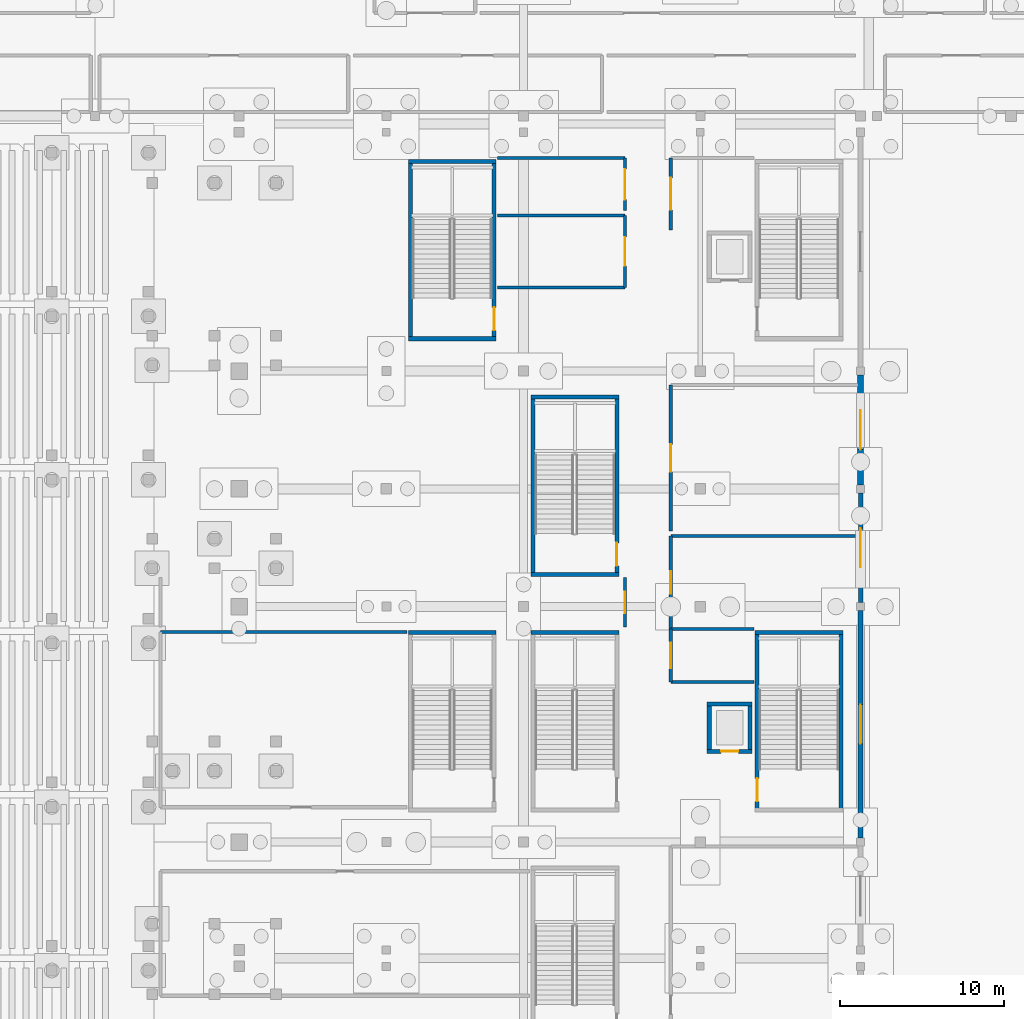
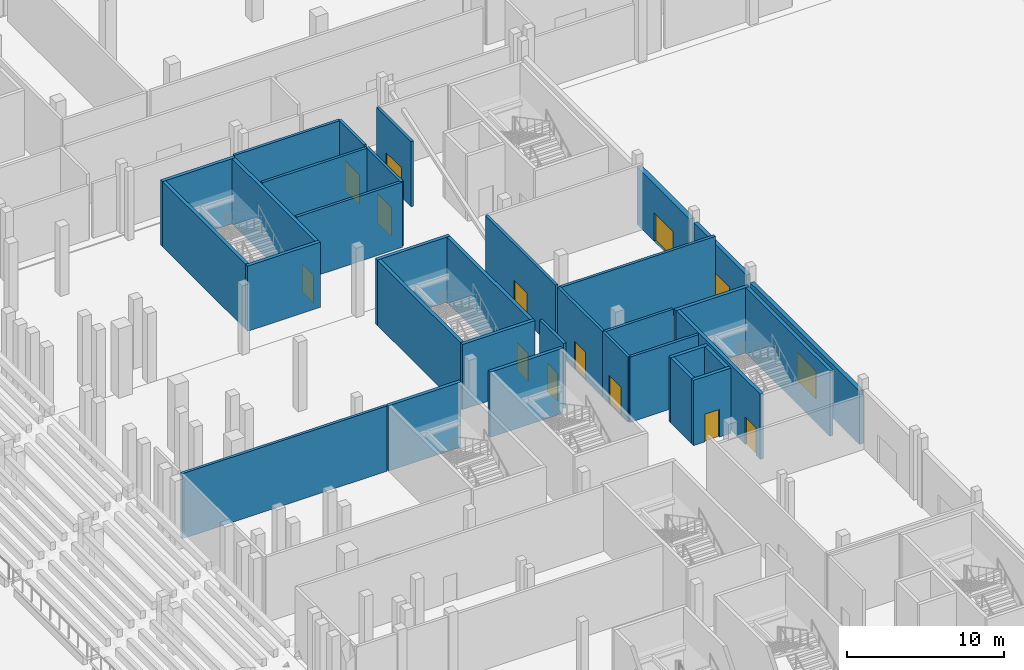
# One storey, part 44 of 89: 34 walls, 14 doors, 14 openings.
"""IFC4 building model written with IfcOpenShell, lengths in metres."""

from ifc_helpers import new_model, si_unit, direction, frame, frame_2d, origin, place, context, subcontext, project, spatial, rectangle, extrude, material, layer, layer_set, type_object, element, fill, save


model = new_model("IFC4")

# Units and contexts
model_context = context("Model", 3, precision=1e-05, world=origin(), true_north=direction((0.0, 1.0)))
body_context = subcontext(model_context, "Body", "Model", "MODEL_VIEW")
ifc_project = project(units=[si_unit("LENGTHUNIT", "METRE"), si_unit("AREAUNIT", "SQUARE_METRE"), si_unit("VOLUMEUNIT", "CUBIC_METRE"), si_unit("PLANEANGLEUNIT", "RADIAN"), si_unit("MASSUNIT", "GRAM", prefix="KILO")], contexts=[model_context])

# Site, building, storey
site_placement = place(None, origin())
site = spatial("IfcSite", under=ifc_project, at=site_placement, CompositionType="ELEMENT")
building_placement = place(site_placement, origin())
building = spatial("IfcBuilding", under=site, at=building_placement, Name="Koshinbarg Plaza Stadium", CompositionType="ELEMENT")
storey_placement = place(building_placement, origin())
storey = spatial("IfcBuildingStorey", under=building, at=storey_placement, Name="L00", CompositionType="ELEMENT", Elevation=0.0)

# Wall
ifc_material_1 = material(Name="Concrete C40/50", Category="concrete")
ifc_layer_1 = layer(ifc_material_1, 0.25)
ifc_layer_set_1 = layer_set([ifc_layer_1], Name="Concrete C40/50")
wall_type_1 = type_object("IfcWallType", Name="WL-CORE-250", PredefinedType="SHEAR", material=ifc_layer_set_1)
wall_1_placement = place(storey_placement, frame((217.320068359375, 95.925048828125, 0.0), z_axis=(0.0, 0.0, 1.0), x_axis=(-1.0, 0.0, 0.0)))
element("IfcWall", 1, at=wall_1_placement, inside=storey, type_object=wall_type_1, Name="L00 core stair shear wall C09-far IWL-L00-0211", PredefinedType="SHEAR", context=body_context, shape_type="SweptSolid", body=[
    extrude(rectangle(XDim=5.3701171875, YDim=0.25, at=frame_2d((2.68505859375, 0.0))), origin(), (0.0, 0.0, 1.0), 5.080078125),
])

# Wall, opening, door
wall_2_placement = place(storey_placement, frame((212.074951171875, 85.074951171875, 0.0), z_axis=(0.0, 0.0, 1.0), x_axis=(0.0, 1.0, 0.0)))
wall_2 = element("IfcWall", 2, at=wall_2_placement, inside=storey, type_object=wall_type_1, Name="L00 core stair shear wall C09-left IWL-L00-0212", PredefinedType="SHEAR", context=body_context, shape_type="SweptSolid", body=[
    extrude(rectangle(XDim=10.85009765625, YDim=0.25, at=frame_2d((5.425048828125, 0.0))), origin(), (0.0, 0.0, 1.0), 5.080078125),
])
opening_1_placement = place(wall_2_placement, frame((0.52001953125, 0.0, 0.0)))
opening_1 = element("IfcOpeningElement", 3, at=opening_1_placement, cuts=wall_2, Name="Opening D-0115", PredefinedType="OPENING", context=body_context, shape_type="SweptSolid", body=[
    extrude(rectangle(XDim=1.39990234375, YDim=2.14990234375, at=frame_2d((0.699951171875, 1.074951171875))), frame((0.0, 0.135009765625, 0.0), z_axis=(0.0, -1.0, 0.0), x_axis=(1.0, 0.0, 0.0)), (0.0, 0.0, 1.0), 0.27001953125),
])
ifc_material_2 = material(Name="Painted galvanized steel fire door", Category="steel")
door_type_1 = type_object("IfcDoorType", Name="DR-STAIR-1400", OperationType="NOTDEFINED", PredefinedType="DOOR", material=ifc_material_2)
door_1_placement = place(opening_1_placement, origin())
door_1 = element("IfcDoor", 4, at=door_1_placement, inside=storey, type_object=door_type_1, Name="L00 exit stair door C09", OperationType="SINGLE_SWING_RIGHT", OverallHeight=2.14990234375, OverallWidth=1.39990234375, PredefinedType="DOOR", context=body_context, shape_type="SweptSolid", body=[
    extrude(rectangle(XDim=1.39990234375, YDim=2.14990234375, at=frame_2d((0.699951171875, 1.074951171875))), frame((0.0, 0.02490234375, 0.0), z_axis=(0.0, -1.0, 0.0), x_axis=(1.0, 0.0, 0.0)), (0.0, 0.0, 1.0), 0.050048828125),
])
fill(opening_1, door_1)

# Walls
wall_3_placement = place(storey_placement, frame((217.195068359375, 85.074951171875, 0.0), z_axis=(0.0, 0.0, 1.0), x_axis=(0.0, 1.0, 0.0)))
element("IfcWall", 5, at=wall_3_placement, inside=storey, type_object=wall_type_1, Name="L00 core stair shear wall C09-right IWL-L00-0213", PredefinedType="SHEAR", context=body_context, shape_type="SweptSolid", body=[
    extrude(rectangle(XDim=10.85009765625, YDim=0.25, at=frame_2d((5.425048828125, 0.0))), origin(), (0.0, 0.0, 1.0), 5.080078125),
])
for number, where, z_axis, x_axis, name in (
    (6, (203.6201171875, 95.925048828125, 0.0), (0.0, 0.0, 1.0), (-1.0, 0.0, 0.0), "L00 vomitory stair shear wall VX11-far IWL-L00-0515"),
    (7, (198.25, 99.47509765625, 0.0), (0.0, 0.0, 1.0), (1.0, 0.0, 0.0), "L00 vomitory stair shear wall VX12-near IWL-L00-0530"),
    (8, (203.6201171875, 110.324951171875, 0.0), (0.0, 0.0, 1.0), (-1.0, 0.0, 0.0), "L00 vomitory stair shear wall VX12-far IWL-L00-0531"),
):
    element("IfcWall", number, at=place(storey_placement, frame(where, z_axis=z_axis, x_axis=x_axis)), inside=storey, type_object=wall_type_1, Name=name, PredefinedType="SHEAR", context=body_context, shape_type="SweptSolid", body=[
        extrude(rectangle(XDim=5.3701171875, YDim=0.25, at=frame_2d((2.68505859375, 0.0))), origin(), (0.0, 0.0, 1.0), 5.080078125),
    ])
wall_4_placement = place(storey_placement, frame((198.375, 99.47509765625, 0.0), z_axis=(0.0, 0.0, 1.0), x_axis=(0.0, 1.0, 0.0)))
element("IfcWall", 9, at=wall_4_placement, inside=storey, type_object=wall_type_1, Name="L00 vomitory stair shear wall VX12-left IWL-L00-0532", PredefinedType="SHEAR", context=body_context, shape_type="SweptSolid", body=[
    extrude(rectangle(XDim=10.849853515625, YDim=0.25, at=frame_2d((5.4248046875, 0.0))), origin(), (0.0, 0.0, 1.0), 5.080078125),
])

# Wall, opening, door
wall_5_placement = place(storey_placement, frame((203.4951171875, 99.47509765625, 0.0), z_axis=(0.0, 0.0, 1.0), x_axis=(0.0, 1.0, 0.0)))
wall_5 = element("IfcWall", 10, at=wall_5_placement, inside=storey, type_object=wall_type_1, Name="L00 vomitory stair shear wall VX12-right IWL-L00-0533", PredefinedType="SHEAR", context=body_context, shape_type="SweptSolid", body=[
    extrude(rectangle(XDim=10.849853515625, YDim=0.25, at=frame_2d((5.4248046875, 0.0))), origin(), (0.0, 0.0, 1.0), 5.080078125),
])
opening_2_placement = place(wall_5_placement, frame((0.52001953125, 0.0, 0.0)))
opening_2 = element("IfcOpeningElement", 11, at=opening_2_placement, cuts=wall_5, Name="Opening D-0195", PredefinedType="OPENING", context=body_context, shape_type="SweptSolid", body=[
    extrude(rectangle(XDim=1.39990234375, YDim=2.14990234375, at=frame_2d((0.699951171875, 1.074951171875))), frame((0.0, 0.135009765625, 0.0), z_axis=(0.0, -1.0, 0.0), x_axis=(1.0, 0.0, 0.0)), (0.0, 0.0, 1.0), 0.27001953125),
])
door_2_placement = place(opening_2_placement, frame((1.39990234375, 0.0, 0.0), z_axis=(0.0, 0.0, 1.0), x_axis=(-1.0, 0.0, 0.0)))
door_2 = element("IfcDoor", 12, at=door_2_placement, inside=storey, type_object=door_type_1, Name="L00 vomitory exit stair door VX12", OperationType="SINGLE_SWING_LEFT", OverallHeight=2.14990234375, OverallWidth=1.39990234375, PredefinedType="DOOR", context=body_context, shape_type="SweptSolid", body=[
    extrude(rectangle(XDim=1.39990234375, YDim=2.14990234375, at=frame_2d((0.699951171875, 1.074951171875))), frame((0.0, 0.02490234375, 0.0), z_axis=(0.0, -1.0, 0.0), x_axis=(1.0, 0.0, 0.0)), (0.0, 0.0, 1.0), 0.050048828125),
])
fill(opening_2, door_2)

# Walls
for number, where, z_axis, x_axis, name in (
    (13, (196.1201171875, 95.925048828125, 0.0), (0.0, 0.0, 1.0), (-1.0, 0.0, 0.0), "L00 vomitory stair shear wall VL07-far IWL-L00-0595"),
    (14, (190.75, 113.875, 0.0), (0.0, 0.0, 1.0), (1.0, 0.0, 0.0), "L00 vomitory stair shear wall VL08-near IWL-L00-0602"),
    (15, (196.1201171875, 124.72509765625, 0.0), (0.0, 0.0, 1.0), (-1.0, 0.0, 0.0), "L00 vomitory stair shear wall VL08-far IWL-L00-0603"),
):
    element("IfcWall", number, at=place(storey_placement, frame(where, z_axis=z_axis, x_axis=x_axis)), inside=storey, type_object=wall_type_1, Name=name, PredefinedType="SHEAR", context=body_context, shape_type="SweptSolid", body=[
        extrude(rectangle(XDim=5.3701171875, YDim=0.25, at=frame_2d((2.68505859375, 0.0))), origin(), (0.0, 0.0, 1.0), 5.080078125),
    ])
wall_6_placement = place(storey_placement, frame((190.875, 113.875, 0.0), z_axis=(0.0, 0.0, 1.0), x_axis=(0.0, 1.0, 0.0)))
element("IfcWall", 16, at=wall_6_placement, inside=storey, type_object=wall_type_1, Name="L00 vomitory stair shear wall VL08-left IWL-L00-0604", PredefinedType="SHEAR", context=body_context, shape_type="SweptSolid", body=[
    extrude(rectangle(XDim=10.85009765625, YDim=0.25, at=frame_2d((5.425048828125, 0.0))), origin(), (0.0, 0.0, 1.0), 5.080078125),
])

# Wall, opening, door
wall_7_placement = place(storey_placement, frame((195.9951171875, 113.875, 0.0), z_axis=(0.0, 0.0, 1.0), x_axis=(0.0, 1.0, 0.0)))
wall_7 = element("IfcWall", 17, at=wall_7_placement, inside=storey, type_object=wall_type_1, Name="L00 vomitory stair shear wall VL08-right IWL-L00-0605", PredefinedType="SHEAR", context=body_context, shape_type="SweptSolid", body=[
    extrude(rectangle(XDim=10.85009765625, YDim=0.25, at=frame_2d((5.425048828125, 0.0))), origin(), (0.0, 0.0, 1.0), 5.080078125),
])
opening_3_placement = place(wall_7_placement, frame((0.52001953125, 0.0, 0.0)))
opening_3 = element("IfcOpeningElement", 18, at=opening_3_placement, cuts=wall_7, Name="Opening D-0213", PredefinedType="OPENING", context=body_context, shape_type="SweptSolid", body=[
    extrude(rectangle(XDim=1.39990234375, YDim=2.14990234375, at=frame_2d((0.699951171875, 1.074951171875))), frame((0.0, 0.135009765625, 0.0), z_axis=(0.0, -1.0, 0.0), x_axis=(1.0, 0.0, 0.0)), (0.0, 0.0, 1.0), 0.27001953125),
])
door_3_placement = place(opening_3_placement, frame((1.39990234375, 0.0, 0.0), z_axis=(0.0, 0.0, 1.0), x_axis=(-1.0, 0.0, 0.0)))
door_3 = element("IfcDoor", 19, at=door_3_placement, inside=storey, type_object=door_type_1, Name="L00 vomitory exit stair door VL08", OperationType="SINGLE_SWING_LEFT", OverallHeight=2.14990234375, OverallWidth=1.39990234375, PredefinedType="DOOR", context=body_context, shape_type="SweptSolid", body=[
    extrude(rectangle(XDim=1.39990234375, YDim=2.14990234375, at=frame_2d((0.699951171875, 1.074951171875))), frame((0.0, 0.02490234375, 0.0), z_axis=(0.0, -1.0, 0.0), x_axis=(1.0, 0.0, 0.0)), (0.0, 0.0, 1.0), 0.050048828125),
])
fill(opening_3, door_3)

wall_8_placement = place(storey_placement, frame((209.02490234375, 88.64990234375, 0.0), z_axis=(0.0, 0.0, 1.0), x_axis=(1.0, 0.0, 0.0)))
wall_8 = element("IfcWall", 20, at=wall_8_placement, inside=storey, type_object=wall_type_1, Name="L00 lift shaft shear wall LP05-S IWL-L00-0910", PredefinedType="SHEAR", context=body_context, shape_type="SweptSolid", body=[
    extrude(rectangle(XDim=2.75, YDim=0.25, at=frame_2d((1.375, 0.0))), origin(), (0.0, 0.0, 1.0), 5.080078125),
])
opening_4_placement = place(wall_8_placement, frame((0.85009765625, 0.0, 0.0)))
opening_4 = element("IfcOpeningElement", 21, at=opening_4_placement, cuts=wall_8, Name="Opening D-0297", PredefinedType="OPENING", context=body_context, shape_type="SweptSolid", body=[
    extrude(rectangle(XDim=1.050048828125, YDim=2.14990234375, at=frame_2d((0.52490234375, 1.074951171875))), frame((0.0, 0.135009765625, 0.0), z_axis=(0.0, -1.0, 0.0), x_axis=(1.0, 0.0, 0.0)), (0.0, 0.0, 1.0), 0.27001953125),
])
ifc_material_3 = material(Name="Brushed stainless steel sliding lift landing door", Category="steel")
door_type_2 = type_object("IfcDoorType", Name="DR-LIFT-1050", OperationType="NOTDEFINED", PredefinedType="DOOR", material=ifc_material_3)
door_4_placement = place(opening_4_placement, origin())
door_4 = element("IfcDoor", 22, at=door_4_placement, inside=storey, type_object=door_type_2, Name="L00 lift landing door LP05", OperationType="SLIDING_TO_RIGHT", OverallHeight=2.14990234375, OverallWidth=1.050048828125, PredefinedType="DOOR", context=body_context, shape_type="SweptSolid", body=[
    extrude(rectangle(XDim=1.050048828125, YDim=2.14990234375, at=frame_2d((0.52490234375, 1.074951171875))), frame((0.0, 0.02490234375, 0.0), z_axis=(0.0, -1.0, 0.0), x_axis=(1.0, 0.0, 0.0)), (0.0, 0.0, 1.0), 0.050048828125),
])
fill(opening_4, door_4)

# Walls
wall_9_placement = place(storey_placement, frame((211.77490234375, 91.550048828125, 0.0), z_axis=(0.0, 0.0, 1.0), x_axis=(-1.0, 0.0, 0.0)))
element("IfcWall", 23, at=wall_9_placement, inside=storey, type_object=wall_type_1, Name="L00 lift shaft shear wall LP05-N IWL-L00-0911", PredefinedType="SHEAR", context=body_context, shape_type="SweptSolid", body=[
    extrude(rectangle(XDim=2.75, YDim=0.25, at=frame_2d((1.375, 0.0))), origin(), (0.0, 0.0, 1.0), 5.080078125),
])
for number, where, z_axis, x_axis, name in (
    (24, (209.14990234375, 91.550048828125, 0.0), (0.0, 0.0, 1.0), (0.0, -1.0, 0.0), "L00 lift shaft shear wall LP05-W IWL-L00-0912"),
    (25, (211.64990234375, 88.64990234375, 0.0), (0.0, 0.0, 1.0), (0.0, 1.0, 0.0), "L00 lift shaft shear wall LP05-E IWL-L00-0913"),
):
    element("IfcWall", number, at=place(storey_placement, frame(where, z_axis=z_axis, x_axis=x_axis)), inside=storey, type_object=wall_type_1, Name=name, PredefinedType="SHEAR", context=body_context, shape_type="SweptSolid", body=[
        extrude(rectangle(XDim=2.900146484375, YDim=0.25, at=frame_2d((1.4501953125, 0.0))), origin(), (0.0, 0.0, 1.0), 5.080078125),
    ])

# Wall, opening, door
ifc_material_4 = material(Name="Terracotta-ochre mineral plaster insulated wall", Category="masonry")
ifc_layer_2 = layer(ifc_material_4, 0.280029296875)
ifc_layer_set_2 = layer_set([ifc_layer_2], Name="Terracotta-ochre mineral plaster insulated wall")
wall_type_2 = type_object("IfcWallType", Name="WL-EXT-280", PredefinedType="SOLIDWALL", material=ifc_layer_set_2)
wall_10_placement = place(storey_placement, frame((218.39990234375, 104.455078125, 0.0), z_axis=(0.0, 0.0, 1.0), x_axis=(0.0, -1.0, 0.0)))
wall_10 = element("IfcWall", 26, at=wall_10_placement, inside=storey, type_object=wall_type_2, Name="L00 exterior envelope wall EWL-L00-0040", PredefinedType="SOLIDWALL", context=body_context, shape_type="SweptSolid", body=[
    extrude(rectangle(XDim=6.7099609375, YDim=0.280029296875, at=frame_2d((3.35498046875, 0.0))), origin(), (0.0, 0.0, 1.0), 4.4599609375),
])
opening_5_placement = place(wall_10_placement, frame((2.155029296875, 0.0, 0.0)))
opening_5 = element("IfcOpeningElement", 27, at=opening_5_placement, cuts=wall_10, Name="Opening D-0041", PredefinedType="OPENING", context=body_context, shape_type="SweptSolid", body=[
    extrude(rectangle(XDim=2.39990234375, YDim=2.199951171875, at=frame_2d((1.199951171875, 1.10009765625))), frame((0.0, 0.14990234375, 0.0), z_axis=(0.0, -1.0, 0.0), x_axis=(1.0, 0.0, 0.0)), (0.0, 0.0, 1.0), 0.300048828125),
])
ifc_material_5 = material(Name="Anodised aluminium thermally broken exit door", Category="aluminium")
door_type_3 = type_object("IfcDoorType", Name="DR-EXIT-2400", OperationType="NOTDEFINED", PredefinedType="DOOR", material=ifc_material_5)
door_5_placement = place(opening_5_placement, origin())
door_5 = element("IfcDoor", 28, at=door_5_placement, inside=storey, type_object=door_type_3, Name="Main exit E40", OperationType="DOUBLE_DOOR_SINGLE_SWING", OverallHeight=2.199951171875, OverallWidth=2.39990234375, PredefinedType="DOOR", context=body_context, shape_type="SweptSolid", body=[
    extrude(rectangle(XDim=2.39990234375, YDim=2.199951171875, at=frame_2d((1.199951171875, 1.10009765625))), frame((0.0, 0.02490234375, 0.0), z_axis=(0.0, -1.0, 0.0), x_axis=(1.0, 0.0, 0.0)), (0.0, 0.0, 1.0), 0.050048828125),
])
fill(opening_5, door_5)

ifc_material_6 = material(Name="Off-white mineral plaster insulated wall", Category="masonry")
ifc_layer_3 = layer(ifc_material_6, 0.300048828125)
ifc_layer_set_3 = layer_set([ifc_layer_3], Name="Off-white mineral plaster insulated wall")
wall_type_3 = type_object("IfcWallType", Name="WL-EXT-300", PredefinedType="SOLIDWALL", material=ifc_layer_set_3)
wall_11_placement = place(storey_placement, frame((218.39990234375, 97.2548828125, 0.0), z_axis=(0.0, 0.0, 1.0), x_axis=(0.0, -1.0, 0.0)))
wall_11 = element("IfcWall", 29, at=wall_11_placement, inside=storey, type_object=wall_type_3, Name="L00 exterior envelope wall EWL-L00-0041", PredefinedType="SOLIDWALL", context=body_context, shape_type="SweptSolid", body=[
    extrude(rectangle(XDim=13.909912109375, YDim=0.300048828125, at=frame_2d((6.955078125, 0.0))), origin(), (0.0, 0.0, 1.0), 4.159912109375),
])
opening_6_placement = place(wall_11_placement, frame((5.7548828125, 0.0, 0.0)))
opening_6 = element("IfcOpeningElement", 30, at=opening_6_placement, cuts=wall_11, Name="Opening D-0042", PredefinedType="OPENING", context=body_context, shape_type="SweptSolid", body=[
    extrude(rectangle(XDim=2.39990234375, YDim=2.199951171875, at=frame_2d((1.199951171875, 1.10009765625))), frame((0.0, 0.159912109375, 0.0), z_axis=(0.0, -1.0, 0.0), x_axis=(1.0, 0.0, 0.0)), (0.0, 0.0, 1.0), 0.320068359375),
])
door_6_placement = place(opening_6_placement, origin())
door_6 = element("IfcDoor", 31, at=door_6_placement, inside=storey, type_object=door_type_3, Name="Main exit E41", OperationType="DOUBLE_DOOR_SINGLE_SWING", OverallHeight=2.199951171875, OverallWidth=2.39990234375, PredefinedType="DOOR", context=body_context, shape_type="SweptSolid", body=[
    extrude(rectangle(XDim=2.39990234375, YDim=2.199951171875, at=frame_2d((1.199951171875, 1.10009765625))), frame((0.0, 0.02490234375, 0.0), z_axis=(0.0, -1.0, 0.0), x_axis=(1.0, 0.0, 0.0)), (0.0, 0.0, 1.0), 0.050048828125),
])
fill(opening_6, door_6)

ifc_material_7 = material(Name="Acoustic insulated masonry stadium wall", Category="masonry")
ifc_layer_4 = layer(ifc_material_7, 0.35009765625)
ifc_layer_set_4 = layer_set([ifc_layer_4], Name="Acoustic insulated masonry stadium wall")
wall_type_4 = type_object("IfcWallType", Name="WL-EXT-350", PredefinedType="SOLIDWALL", material=ifc_layer_set_4)
wall_12_placement = place(storey_placement, frame((218.39990234375, 111.655029296875, 0.0), z_axis=(0.0, 0.0, 1.0), x_axis=(0.0, -1.0, 0.0)))
wall_12 = element("IfcWall", 32, at=wall_12_placement, inside=storey, type_object=wall_type_4, Name="L00 exterior envelope wall EWL-L00-0039", PredefinedType="SOLIDWALL", context=body_context, shape_type="SweptSolid", body=[
    extrude(rectangle(XDim=6.7099609375, YDim=0.35009765625, at=frame_2d((3.35498046875, 0.0))), origin(), (0.0, 0.0, 1.0), 4.4599609375),
])
opening_7_placement = place(wall_12_placement, frame((2.155029296875, 0.0, 0.0)))
opening_7 = element("IfcOpeningElement", 33, at=opening_7_placement, cuts=wall_12, Name="Opening D-0040", PredefinedType="OPENING", context=body_context, shape_type="SweptSolid", body=[
    extrude(rectangle(XDim=2.39990234375, YDim=2.199951171875, at=frame_2d((1.199951171875, 1.10009765625))), frame((0.0, 0.18505859375, 0.0), z_axis=(0.0, -1.0, 0.0), x_axis=(1.0, 0.0, 0.0)), (0.0, 0.0, 1.0), 0.3701171875),
])
door_7_placement = place(opening_7_placement, origin())
door_7 = element("IfcDoor", 34, at=door_7_placement, inside=storey, type_object=door_type_3, Name="Main exit E39", OperationType="DOUBLE_DOOR_SINGLE_SWING", OverallHeight=2.199951171875, OverallWidth=2.39990234375, PredefinedType="DOOR", context=body_context, shape_type="SweptSolid", body=[
    extrude(rectangle(XDim=2.39990234375, YDim=2.199951171875, at=frame_2d((1.199951171875, 1.10009765625))), frame((0.0, 0.02490234375, 0.0), z_axis=(0.0, -1.0, 0.0), x_axis=(1.0, 0.0, 0.0)), (0.0, 0.0, 1.0), 0.050048828125),
])
fill(opening_7, door_7)

# Wall
ifc_material_8 = material(Name="Autoclaved aerated blockwork fire partition", Category="masonry")
ifc_layer_5 = layer(ifc_material_8, 0.199951171875)
ifc_layer_set_5 = layer_set([ifc_layer_5], Name="Autoclaved aerated blockwork fire partition")
wall_type_5 = type_object("IfcWallType", Name="WL-PART-200", PredefinedType="PARTITIONING", material=ifc_layer_set_5)
wall_13_placement = place(storey_placement, frame((190.669921875, 95.94091796875, 0.0), z_axis=(0.0, 0.0, 1.0), x_axis=(-1.0, 0.0, 0.0)))
element("IfcWall", 35, at=wall_13_placement, inside=storey, type_object=wall_type_5, Name="L00 interior partition L00-104-north IWL-L00-1154", PredefinedType="PARTITIONING", context=body_context, shape_type="SweptSolid", body=[
    extrude(rectangle(XDim=15.06982421875, YDim=0.199951171875, at=frame_2d((7.534912109375, 0.0))), origin(), (0.0, 0.0, 1.0), 5.080078125),
])

# Wall, opening, door
wall_14_placement = place(storey_placement, frame((204.0, 96.24072265625, 0.0), z_axis=(0.0, 0.0, 1.0), x_axis=(0.0, 1.0, 0.0)))
wall_14 = element("IfcWall", 36, at=wall_14_placement, inside=storey, type_object=wall_type_5, Name="L00 interior partition L00-105-east IWL-L00-1156", PredefinedType="PARTITIONING", context=body_context, shape_type="SweptSolid", body=[
    extrude(rectangle(XDim=3.029296875, YDim=0.199951171875, at=frame_2d((1.5146484375, 0.0))), origin(), (0.0, 0.0, 1.0), 5.080078125),
])
opening_8_placement = place(wall_14_placement, frame((0.864501953125, 0.0, 0.0)))
opening_8 = element("IfcOpeningElement", 37, at=opening_8_placement, cuts=wall_14, Name="Opening D-0374", PredefinedType="OPENING", context=body_context, shape_type="SweptSolid", body=[
    extrude(rectangle(XDim=1.300048828125, YDim=2.199951171875, at=frame_2d((0.64990234375, 1.10009765625))), frame((0.0, 0.10986328125, 0.0), z_axis=(0.0, -1.0, 0.0), x_axis=(1.0, 0.0, 0.0)), (0.0, 0.0, 1.0), 0.219970703125),
])
ifc_material_9 = material(Name="Thermally broken anodised aluminium glazed door", Category="aluminium")
door_type_4 = type_object("IfcDoorType", Name="DR-INT-1300x2200", OperationType="NOTDEFINED", PredefinedType="DOOR", material=ifc_material_9)
door_8_placement = place(opening_8_placement, origin())
door_8 = element("IfcDoor", 38, at=door_8_placement, inside=storey, type_object=door_type_4, Name="L00 Supporters' Cafe Hall door D-0374", OperationType="SINGLE_SWING_RIGHT", OverallHeight=2.199951171875, OverallWidth=1.300048828125, PredefinedType="DOOR", context=body_context, shape_type="SweptSolid", body=[
    extrude(rectangle(XDim=1.300048828125, YDim=2.199951171875, at=frame_2d((0.64990234375, 1.10009765625))), frame((0.0, 0.02490234375, 0.0), z_axis=(0.0, -1.0, 0.0), x_axis=(1.0, 0.0, 0.0)), (0.0, 0.0, 1.0), 0.050048828125),
])
fill(opening_8, door_8)

# Wall
wall_15_placement = place(storey_placement, frame((218.2548828125, 101.816650390625, 0.0), z_axis=(0.0, 0.0, 1.0), x_axis=(-1.0, 0.0, 0.0)))
element("IfcWall", 39, at=wall_15_placement, inside=storey, type_object=wall_type_5, Name="L00 interior partition L00-106-north IWL-L00-1158", PredefinedType="PARTITIONING", context=body_context, shape_type="SweptSolid", body=[
    extrude(rectangle(XDim=11.454833984375, YDim=0.199951171875, at=frame_2d((5.7275390625, 0.0))), origin(), (0.0, 0.0, 1.0), 5.080078125),
])

# Wall, opening, door
wall_16_placement = place(storey_placement, frame((206.800048828125, 101.816650390625, 0.0), z_axis=(0.0, 0.0, 1.0), x_axis=(0.0, -1.0, 0.0)))
wall_16 = element("IfcWall", 40, at=wall_16_placement, inside=storey, type_object=wall_type_5, Name="L00 interior partition L00-106-west IWL-L00-1159", PredefinedType="PARTITIONING", context=body_context, shape_type="SweptSolid", body=[
    extrude(rectangle(XDim=5.686767578125, YDim=0.199951171875, at=frame_2d((2.84326171875, 0.0))), origin(), (0.0, 0.0, 1.0), 5.080078125),
])
opening_9_placement = place(wall_16_placement, frame((2.143310546875, 0.0, 0.0)))
opening_9 = element("IfcOpeningElement", 41, at=opening_9_placement, cuts=wall_16, Name="Opening D-0375", PredefinedType="OPENING", context=body_context, shape_type="SweptSolid", body=[
    extrude(rectangle(XDim=1.39990234375, YDim=2.199951171875, at=frame_2d((0.699951171875, 1.10009765625))), frame((0.0, 0.10986328125, 0.0), z_axis=(0.0, -1.0, 0.0), x_axis=(1.0, 0.0, 0.0)), (0.0, 0.0, 1.0), 0.219970703125),
])
ifc_material_10 = material(Name="Stainless-clad solid-core timber double fire door", Category="wood")
door_type_5 = type_object("IfcDoorType", Name="DR-INT-1400x2200", OperationType="NOTDEFINED", PredefinedType="DOOR", material=ifc_material_10)
door_9_placement = place(opening_9_placement, origin())
door_9 = element("IfcDoor", 42, at=door_9_placement, inside=storey, type_object=door_type_5, Name="L00 Youth Sports Exhibition Hall door D-0375", OperationType="DOUBLE_DOOR_SINGLE_SWING", OverallHeight=2.199951171875, OverallWidth=1.39990234375, PredefinedType="DOOR", context=body_context, shape_type="SweptSolid", body=[
    extrude(rectangle(XDim=1.39990234375, YDim=2.199951171875, at=frame_2d((0.699951171875, 1.10009765625))), frame((0.0, 0.02490234375, 0.0), z_axis=(0.0, -1.0, 0.0), x_axis=(1.0, 0.0, 0.0)), (0.0, 0.0, 1.0), 0.050048828125),
])
fill(opening_9, door_9)

# Walls
for number, where, z_axis, x_axis, name in (
    (43, (206.800048828125, 92.88330078125, 0.0), (0.0, 0.0, 1.0), (1.0, 0.0, 0.0), "L00 interior partition L00-107-south IWL-L00-1160"),
    (44, (211.8701171875, 96.1298828125, 0.0), (0.0, 0.0, 1.0), (-1.0, 0.0, 0.0), "L00 interior partition L00-107-north IWL-L00-1161"),
):
    element("IfcWall", number, at=place(storey_placement, frame(where, z_axis=z_axis, x_axis=x_axis)), inside=storey, type_object=wall_type_5, Name=name, PredefinedType="PARTITIONING", context=body_context, shape_type="SweptSolid", body=[
        extrude(rectangle(XDim=5.070068359375, YDim=0.199951171875, at=frame_2d((2.53515625, 0.0))), origin(), (0.0, 0.0, 1.0), 5.080078125),
    ])

# Wall, opening, door
wall_17_placement = place(storey_placement, frame((206.800048828125, 96.1298828125, 0.0), z_axis=(0.0, 0.0, 1.0), x_axis=(0.0, -1.0, 0.0)))
wall_17 = element("IfcWall", 45, at=wall_17_placement, inside=storey, type_object=wall_type_5, Name="L00 interior partition L00-107-west IWL-L00-1162", PredefinedType="PARTITIONING", context=body_context, shape_type="SweptSolid", body=[
    extrude(rectangle(XDim=3.24658203125, YDim=0.199951171875, at=frame_2d((1.623291015625, 0.0))), origin(), (0.0, 0.0, 1.0), 5.080078125),
])
opening_10_placement = place(wall_17_placement, frame((0.848388671875, 0.0, 0.0)))
opening_10 = element("IfcOpeningElement", 46, at=opening_10_placement, cuts=wall_17, Name="Opening D-0376", PredefinedType="OPENING", context=body_context, shape_type="SweptSolid", body=[
    extrude(rectangle(XDim=1.550048828125, YDim=2.199951171875, at=frame_2d((0.77490234375, 1.10009765625))), frame((0.0, 0.10986328125, 0.0), z_axis=(0.0, -1.0, 0.0), x_axis=(1.0, 0.0, 0.0)), (0.0, 0.0, 1.0), 0.219970703125),
])
ifc_material_11 = material(Name="Toughened laminated glass in aluminium frame", Category="aluminium")
door_type_6 = type_object("IfcDoorType", Name="DR-INT-1550x2200", OperationType="NOTDEFINED", PredefinedType="DOOR", material=ifc_material_11)
door_10_placement = place(opening_10_placement, origin())
door_10 = element("IfcDoor", 47, at=door_10_placement, inside=storey, type_object=door_type_6, Name="L00 East Entrance Concourse door D-0376", OperationType="DOUBLE_DOOR_SINGLE_SWING", OverallHeight=2.199951171875, OverallWidth=1.550048828125, PredefinedType="DOOR", context=body_context, shape_type="SweptSolid", body=[
    extrude(rectangle(XDim=1.550048828125, YDim=2.199951171875, at=frame_2d((0.77490234375, 1.10009765625))), frame((0.0, 0.02490234375, 0.0), z_axis=(0.0, -1.0, 0.0), x_axis=(1.0, 0.0, 0.0)), (0.0, 0.0, 1.0), 0.050048828125),
])
fill(opening_10, door_10)

wall_18_placement = place(storey_placement, frame((206.800048828125, 111.050048828125, 0.0), z_axis=(0.0, 0.0, 1.0), x_axis=(0.0, -1.0, 0.0)))
wall_18 = element("IfcWall", 48, at=wall_18_placement, inside=storey, type_object=wall_type_5, Name="L00 interior partition L00-108-west IWL-L00-1164", PredefinedType="PARTITIONING", context=body_context, shape_type="SweptSolid", body=[
    extrude(rectangle(XDim=8.933349609375, YDim=0.199951171875, at=frame_2d((4.466796875, 0.0))), origin(), (0.0, 0.0, 1.0), 5.080078125),
])
opening_11_placement = place(wall_18_placement, frame((3.626708984375, 0.0, 0.0)))
opening_11 = element("IfcOpeningElement", 49, at=opening_11_placement, cuts=wall_18, Name="Opening D-0377", PredefinedType="OPENING", context=body_context, shape_type="SweptSolid", body=[
    extrude(rectangle(XDim=1.679931640625, YDim=2.25, at=frame_2d((0.83984375, 1.125))), frame((0.0, 0.10986328125, 0.0), z_axis=(0.0, -1.0, 0.0), x_axis=(1.0, 0.0, 0.0)), (0.0, 0.0, 1.0), 0.219970703125),
])
ifc_material_12 = material(Name="Powder-coated aluminium double glazed door", Category="aluminium")
door_type_7 = type_object("IfcDoorType", Name="DR-INT-1680x2250", OperationType="NOTDEFINED", PredefinedType="DOOR", material=ifc_material_12)
door_11_placement = place(opening_11_placement, origin())
door_11 = element("IfcDoor", 50, at=door_11_placement, inside=storey, type_object=door_type_7, Name="L00 East Entrance Concourse door D-0377", OperationType="DOUBLE_DOOR_SINGLE_SWING", OverallHeight=2.25, OverallWidth=1.679931640625, PredefinedType="DOOR", context=body_context, shape_type="SweptSolid", body=[
    extrude(rectangle(XDim=1.679931640625, YDim=2.25, at=frame_2d((0.83984375, 1.125))), frame((0.0, 0.02490234375, 0.0), z_axis=(0.0, -1.0, 0.0), x_axis=(1.0, 0.0, 0.0)), (0.0, 0.0, 1.0), 0.050048828125),
])
fill(opening_11, door_11)

# Wall
wall_19_placement = place(storey_placement, frame((196.199951171875, 117.010009765625, 0.0), z_axis=(0.0, 0.0, 1.0), x_axis=(1.0, 0.0, 0.0)))
element("IfcWall", 51, at=wall_19_placement, inside=storey, type_object=wall_type_5, Name="L00 interior partition L00-109-south IWL-L00-1165", PredefinedType="PARTITIONING", context=body_context, shape_type="SweptSolid", body=[
    extrude(rectangle(XDim=7.800048828125, YDim=0.199951171875, at=frame_2d((3.89990234375, 0.0))), origin(), (0.0, 0.0, 1.0), 5.080078125),
])

# Wall, opening, door
wall_20_placement = place(storey_placement, frame((204.0, 117.010009765625, 0.0), z_axis=(0.0, 0.0, 1.0), x_axis=(0.0, 1.0, 0.0)))
wall_20 = element("IfcWall", 52, at=wall_20_placement, inside=storey, type_object=wall_type_5, Name="L00 interior partition L00-109-east IWL-L00-1166", PredefinedType="PARTITIONING", context=body_context, shape_type="SweptSolid", body=[
    extrude(rectangle(XDim=4.3974609375, YDim=0.199951171875, at=frame_2d((2.19873046875, 0.0))), origin(), (0.0, 0.0, 1.0), 5.080078125),
])
opening_12_placement = place(wall_20_placement, frame((1.318603515625, 0.0, 0.0)))
opening_12 = element("IfcOpeningElement", 53, at=opening_12_placement, cuts=wall_20, Name="Opening D-0378", PredefinedType="OPENING", context=body_context, shape_type="SweptSolid", body=[
    extrude(rectangle(XDim=1.760009765625, YDim=2.25, at=frame_2d((0.8798828125, 1.125))), frame((0.0, 0.10986328125, 0.0), z_axis=(0.0, -1.0, 0.0), x_axis=(1.0, 0.0, 0.0)), (0.0, 0.0, 1.0), 0.219970703125),
])
ifc_material_13 = material(Name="Solid-core oak veneer double swing door")
door_type_8 = type_object("IfcDoorType", Name="DR-INT-1760x2250", OperationType="NOTDEFINED", PredefinedType="DOOR", material=ifc_material_13)
door_12_placement = place(opening_12_placement, origin())
door_12 = element("IfcDoor", 54, at=door_12_placement, inside=storey, type_object=door_type_8, Name="L00 East Entrance Concourse door D-0378", OperationType="DOUBLE_DOOR_SINGLE_SWING", OverallHeight=2.25, OverallWidth=1.760009765625, PredefinedType="DOOR", context=body_context, shape_type="SweptSolid", body=[
    extrude(rectangle(XDim=1.760009765625, YDim=2.25, at=frame_2d((0.8798828125, 1.125))), frame((0.0, 0.02490234375, 0.0), z_axis=(0.0, -1.0, 0.0), x_axis=(1.0, 0.0, 0.0)), (0.0, 0.0, 1.0), 0.050048828125),
])
fill(opening_12, door_12)

# Wall
wall_21_placement = place(storey_placement, frame((204.0, 121.407470703125, 0.0), z_axis=(0.0, 0.0, 1.0), x_axis=(-1.0, 0.0, 0.0)))
element("IfcWall", 55, at=wall_21_placement, inside=storey, type_object=wall_type_5, Name="L00 interior partition L00-109-north IWL-L00-1167", PredefinedType="PARTITIONING", context=body_context, shape_type="SweptSolid", body=[
    extrude(rectangle(XDim=7.800048828125, YDim=0.199951171875, at=frame_2d((3.89990234375, 0.0))), origin(), (0.0, 0.0, 1.0), 5.080078125),
])

# Wall, opening, door
wall_22_placement = place(storey_placement, frame((204.0, 121.70751953125, 0.0), z_axis=(0.0, 0.0, 1.0), x_axis=(0.0, 1.0, 0.0)))
wall_22 = element("IfcWall", 56, at=wall_22_placement, inside=storey, type_object=wall_type_5, Name="L00 interior partition L00-110-east IWL-L00-1168", PredefinedType="PARTITIONING", context=body_context, shape_type="SweptSolid", body=[
    extrude(rectangle(XDim=3.222412109375, YDim=0.199951171875, at=frame_2d((1.611328125, 0.0))), origin(), (0.0, 0.0, 1.0), 5.080078125),
])
opening_13_placement = place(wall_22_placement, frame((0.681396484375, 0.0, 0.0)))
opening_13 = element("IfcOpeningElement", 57, at=opening_13_placement, cuts=wall_22, Name="Opening D-0379", PredefinedType="OPENING", context=body_context, shape_type="SweptSolid", body=[
    extrude(rectangle(XDim=1.860107421875, YDim=2.300048828125, at=frame_2d((0.93017578125, 1.14990234375))), frame((0.0, 0.10986328125, 0.0), z_axis=(0.0, -1.0, 0.0), x_axis=(1.0, 0.0, 0.0)), (0.0, 0.0, 1.0), 0.219970703125),
])
ifc_material_14 = material(Name="Acoustic solid-core walnut veneer fire door")
door_type_9 = type_object("IfcDoorType", Name="DR-INT-1860x2300", OperationType="NOTDEFINED", PredefinedType="DOOR", material=ifc_material_14)
door_13_placement = place(opening_13_placement, origin())
door_13 = element("IfcDoor", 58, at=door_13_placement, inside=storey, type_object=door_type_9, Name="L00 Community Sports Hall door D-0379", OperationType="DOUBLE_DOOR_SINGLE_SWING", OverallHeight=2.300048828125, OverallWidth=1.860107421875, PredefinedType="DOOR", context=body_context, shape_type="SweptSolid", body=[
    extrude(rectangle(XDim=1.860107421875, YDim=2.300048828125, at=frame_2d((0.93017578125, 1.14990234375))), frame((0.0, 0.02490234375, 0.0), z_axis=(0.0, -1.0, 0.0), x_axis=(1.0, 0.0, 0.0)), (0.0, 0.0, 1.0), 0.050048828125),
])
fill(opening_13, door_13)

# Wall
wall_23_placement = place(storey_placement, frame((204.0, 124.929931640625, 0.0), z_axis=(0.0, 0.0, 1.0), x_axis=(-1.0, 0.0, 0.0)))
element("IfcWall", 59, at=wall_23_placement, inside=storey, type_object=wall_type_5, Name="L00 interior partition L00-110-north IWL-L00-1169", PredefinedType="PARTITIONING", context=body_context, shape_type="SweptSolid", body=[
    extrude(rectangle(XDim=7.800048828125, YDim=0.199951171875, at=frame_2d((3.89990234375, 0.0))), origin(), (0.0, 0.0, 1.0), 5.080078125),
])

# Wall, opening, door
wall_24_placement = place(storey_placement, frame((206.800048828125, 124.929931640625, 0.0), z_axis=(0.0, 0.0, 1.0), x_axis=(0.0, -1.0, 0.0)))
wall_24 = element("IfcWall", 60, at=wall_24_placement, inside=storey, type_object=wall_type_5, Name="L00 interior partition L00-111-west IWL-L00-1171", PredefinedType="PARTITIONING", context=body_context, shape_type="SweptSolid", body=[
    extrude(rectangle(XDim=4.39990234375, YDim=0.199951171875, at=frame_2d((2.199951171875, 0.0))), origin(), (0.0, 0.0, 1.0), 5.080078125),
])
opening_14_placement = place(wall_24_placement, frame((1.219970703125, 0.0, 0.0)))
opening_14 = element("IfcOpeningElement", 61, at=opening_14_placement, cuts=wall_24, Name="Opening D-0380", PredefinedType="OPENING", context=body_context, shape_type="SweptSolid", body=[
    extrude(rectangle(XDim=1.9599609375, YDim=2.300048828125, at=frame_2d((0.97998046875, 1.14990234375))), frame((0.0, 0.10986328125, 0.0), z_axis=(0.0, -1.0, 0.0), x_axis=(1.0, 0.0, 0.0)), (0.0, 0.0, 1.0), 0.219970703125),
])
ifc_material_15 = material(Name="Bronze-anodised aluminium glazed double door", Category="aluminium")
door_type_10 = type_object("IfcDoorType", Name="DR-INT-1960x2300", OperationType="NOTDEFINED", PredefinedType="DOOR", material=ifc_material_15)
door_14_placement = place(opening_14_placement, origin())
door_14 = element("IfcDoor", 62, at=door_14_placement, inside=storey, type_object=door_type_10, Name="L00 Community Sports Hall door D-0380", OperationType="DOUBLE_DOOR_SINGLE_SWING", OverallHeight=2.300048828125, OverallWidth=1.9599609375, PredefinedType="DOOR", context=body_context, shape_type="SweptSolid", body=[
    extrude(rectangle(XDim=1.9599609375, YDim=2.300048828125, at=frame_2d((0.97998046875, 1.14990234375))), frame((0.0, 0.02490234375, 0.0), z_axis=(0.0, -1.0, 0.0), x_axis=(1.0, 0.0, 0.0)), (0.0, 0.0, 1.0), 0.050048828125),
])
fill(opening_14, door_14)

save(model, "model.ifc")
